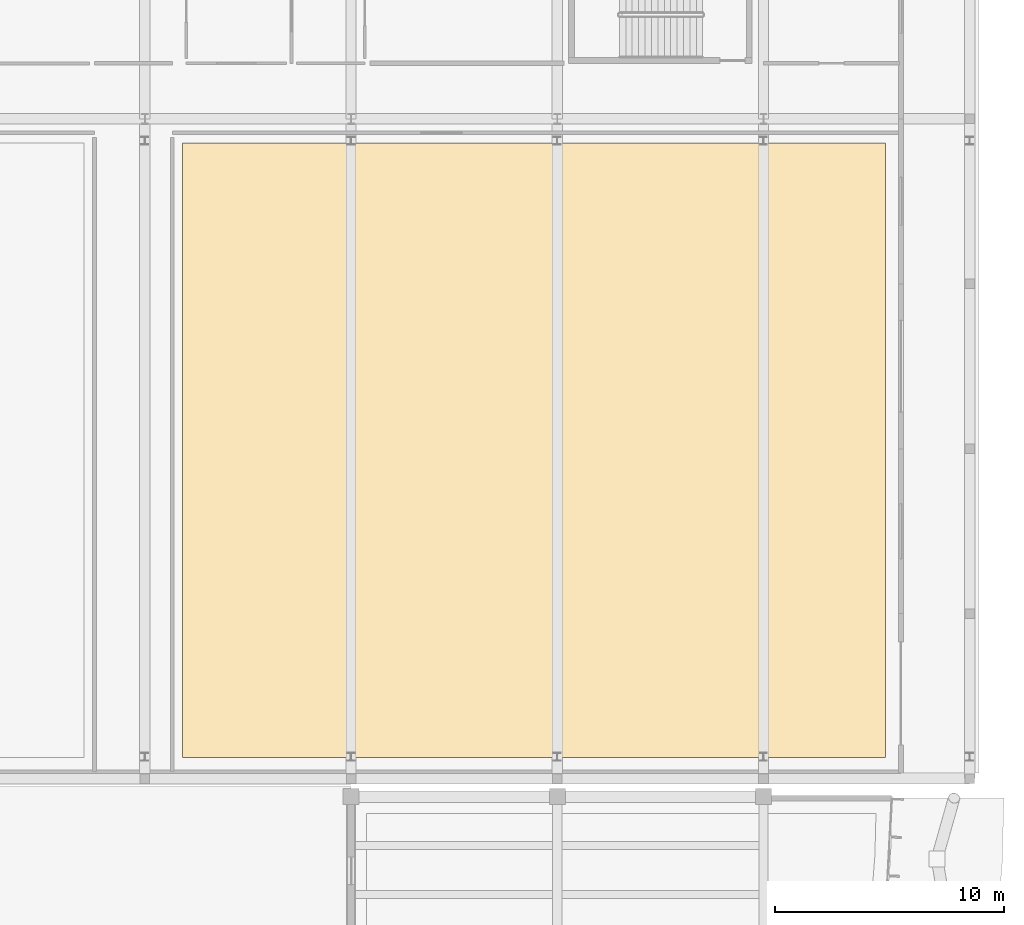
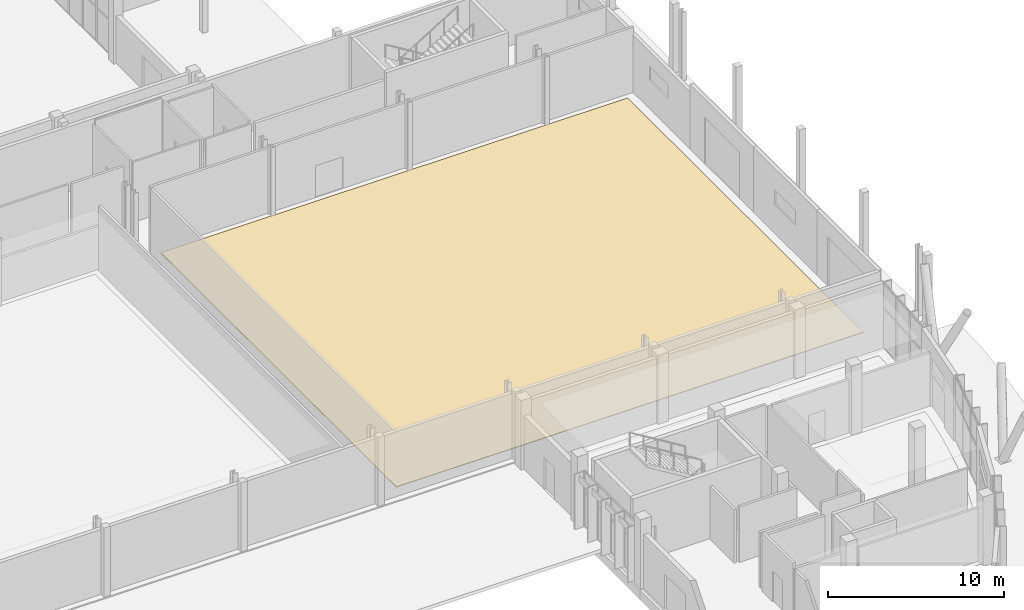
# One storey, part 148 of 151: 1 covering.
"""IFC4 building model written with IfcOpenShell, lengths in metres."""

from ifc_helpers import new_model, si_unit, direction, origin, place, context, subcontext, project, spatial, polyline, outline, extrude, material, layer, layer_set, type_object, element, save


model = new_model("IFC4")

# Units and contexts
model_context = context("Model", 3, precision=1e-05, world=origin(), true_north=direction((0.0, 1.0)))
body_context = subcontext(model_context, "Body", "Model", "MODEL_VIEW")
ifc_project = project(units=[si_unit("LENGTHUNIT", "METRE"), si_unit("AREAUNIT", "SQUARE_METRE"), si_unit("VOLUMEUNIT", "CUBIC_METRE"), si_unit("PLANEANGLEUNIT", "RADIAN"), si_unit("MASSUNIT", "GRAM", prefix="KILO")], contexts=[model_context])

# Site, building, storey
site_placement = place(None, origin())
site = spatial("IfcSite", under=ifc_project, at=site_placement, CompositionType="ELEMENT")
building_placement = place(site_placement, origin())
building = spatial("IfcBuilding", under=site, at=building_placement, Name="Chiffa Square Polytechnic", CompositionType="ELEMENT")
storey_placement = place(building_placement, origin())
storey = spatial("IfcBuildingStorey", under=building, at=storey_placement, Name="L00", CompositionType="ELEMENT", Elevation=0.0)

# Covering
ifc_material = material(Name="Polished cementitious terrazzo")
ifc_layer = layer(ifc_material, 0.0400390625, Name="Polished cementitious terrazzo")
ifc_layer_set = layer_set([ifc_layer], Name="Polished cementitious terrazzo")
covering_type = type_object("IfcCoveringType", Name="COV-FLR-TERRAZZO", PredefinedType="FLOORING", material=ifc_layer_set)
covering_placement = place(storey_placement, origin())
element("IfcCovering", 1, at=covering_placement, inside=storey, type_object=covering_type, Name="Polished terrazzo floor finish FL-V2-L00-005", PredefinedType="FLOORING", context=body_context, shape_type="SweptSolid", body=[
    extrude(outline(polyline([(140.85009765625, 85.949951171875), (171.530029296875, 85.949951171875), (171.530029296875, 59.1201171875), (140.85009765625, 59.1201171875), (140.85009765625, 85.949951171875)])), origin(), (0.0, 0.0, 1.0), 0.0400390625),
])

save(model, "model.ifc")
